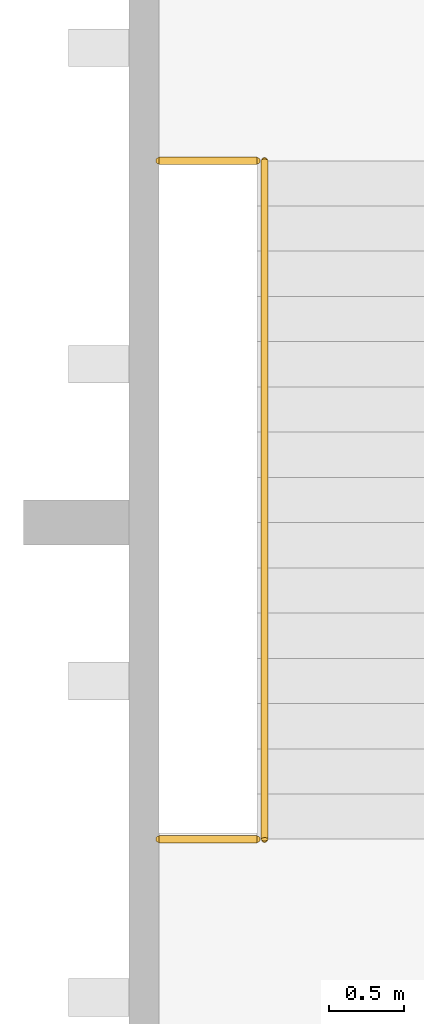
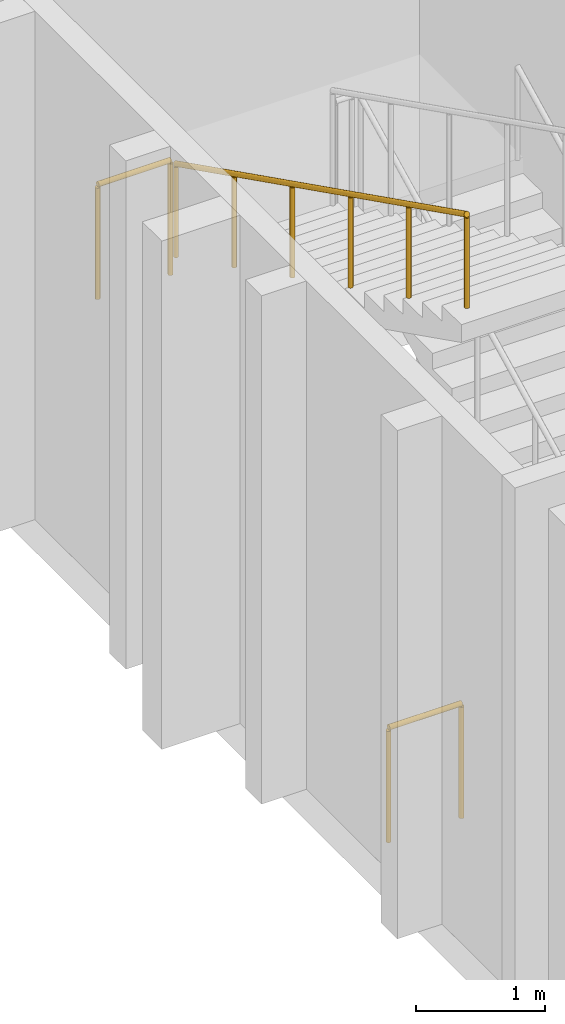
# One storey, part 77 of 86: 3 railings.
"""IFC4 building model written with IfcOpenShell, lengths in metres."""

from ifc_helpers import new_model, si_unit, direction, frame, origin, origin_2d, place, context, subcontext, project, spatial, circle, extrude, material, type_object, element, save


model = new_model("IFC4")

# Units and contexts
model_context = context("Model", 3, precision=1e-05, world=origin(), true_north=direction((0.0, 1.0)))
body_context = subcontext(model_context, "Body", "Model", "MODEL_VIEW")
ifc_project = project(units=[si_unit("LENGTHUNIT", "METRE"), si_unit("AREAUNIT", "SQUARE_METRE"), si_unit("VOLUMEUNIT", "CUBIC_METRE"), si_unit("PLANEANGLEUNIT", "RADIAN"), si_unit("MASSUNIT", "GRAM", prefix="KILO")], contexts=[model_context])

# Site, building, storey
site_placement = place(None, origin())
site = spatial("IfcSite", under=ifc_project, at=site_placement, CompositionType="ELEMENT")
building_placement = place(site_placement, origin())
building = spatial("IfcBuilding", under=site, at=building_placement, Name="Kiln Court Media Centre", CompositionType="ELEMENT")
storey_placement = place(building_placement, frame((0.0, 0.0, 10.199951171875)))
storey = spatial("IfcBuildingStorey", under=building, at=storey_placement, Name="L02", CompositionType="ELEMENT", Elevation=10.199951171875)

# Railings
ifc_material_1 = material(Name="Steel S275", Category="steel")
railing_type_1 = type_object("IfcRailingType", Name="Steel S275 stair guard 1100", PredefinedType="GUARDRAIL", material=ifc_material_1)
for number, where, name in (
    (1, (126.85009765625, 23.39990234375, 2.400146484375), "ST-16 landing edge guard"),
    (2, (126.85009765625, 18.89990234375, 0.0), "ST-16 landing edge guard"),
):
    element("IfcRailing", number, at=place(storey_placement, frame(where)), inside=storey, type_object=railing_type_1, Name=name, PredefinedType="GUARDRAIL", context=body_context, shape_type="SweptSolid", body=[
        extrude(circle(Radius=0.02392578125, at=origin_2d()), frame((0.0, 0.0, 1.076171875), z_axis=(-1.0, 0.0, 0.0), x_axis=(0.0, -1.0, 0.0)), (0.0, 0.0, 1.0), 0.650146484375),
        extrude(circle(Radius=0.02099609375, at=origin_2d()), origin(), (0.0, 0.0, 1.0), 1.052001953125),
        extrude(circle(Radius=0.02099609375, at=origin_2d()), frame((-0.650146484375, 0.0, 0.0)), (0.0, 0.0, 1.0), 1.052001953125),
    ])
ifc_material_2 = material(Name="Steel S275", Category="steel")
railing_type_2 = type_object("IfcRailingType", Name="Steel S275 stair handrail 900", PredefinedType="HANDRAIL", material=ifc_material_2)
railing_placement = place(storey_placement, frame((126.89990234375, 23.39990234375, 2.550048828125)))
element("IfcRailing", 3, at=railing_placement, inside=storey, type_object=railing_type_2, Name="ST-16 stair handrail", PredefinedType="HANDRAIL", context=body_context, shape_type="SweptSolid", body=[
    extrude(circle(Radius=0.02392578125, at=origin_2d()), frame((0.0, 0.0, 0.8759765625), z_axis=(0.0, -0.894427191, 0.4472135955), x_axis=(1.0, 0.0, 0.0)), (0.0, 0.0, 1.0), 5.03125),
    extrude(circle(Radius=0.02099609375, at=origin_2d()), origin(), (0.0, 0.0, 1.0), 0.851806640625),
    extrude(circle(Radius=0.02099609375, at=origin_2d()), frame((0.0, -0.89990234375, 0.449951171875)), (0.0, 0.0, 1.0), 0.851806640625),
    extrude(circle(Radius=0.02099609375, at=origin_2d()), frame((0.0, -1.800048828125, 0.89990234375)), (0.0, 0.0, 1.0), 0.851806640625),
    extrude(circle(Radius=0.02099609375, at=origin_2d()), frame((0.0, -2.699951171875, 1.35009765625)), (0.0, 0.0, 1.0), 0.851806640625),
    extrude(circle(Radius=0.02099609375, at=origin_2d()), frame((0.0, -3.60009765625, 1.800048828125)), (0.0, 0.0, 1.0), 0.851806640625),
    extrude(circle(Radius=0.02099609375, at=origin_2d()), frame((0.0, -4.5, 2.25)), (0.0, 0.0, 1.0), 0.851806640625),
])

save(model, "model.ifc")
